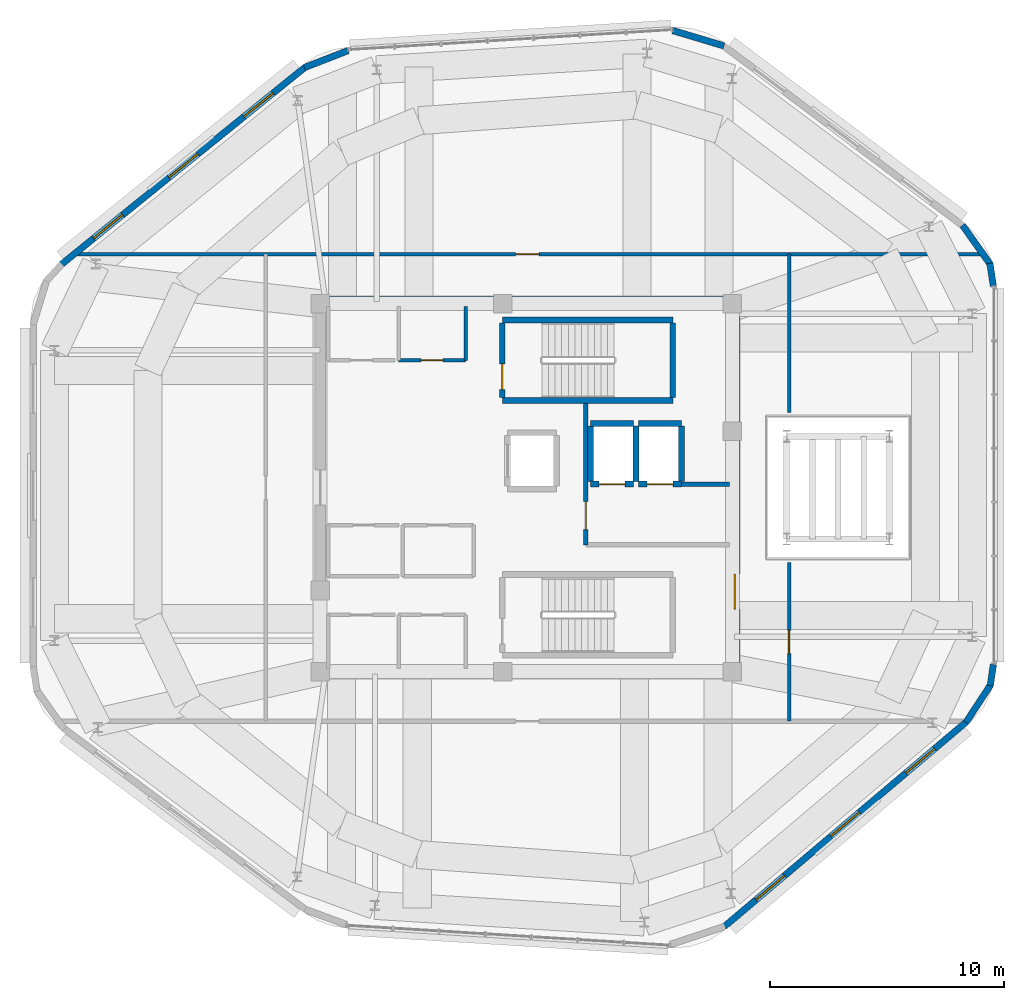
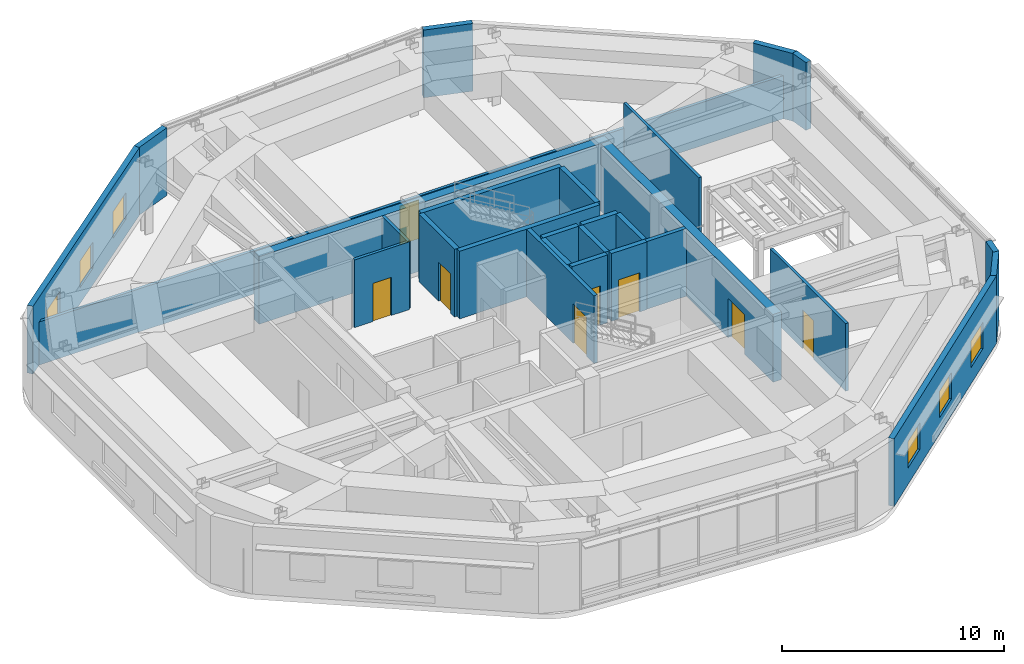
# One storey, part 15 of 17: 28 walls, 8 doors, 6 windows, 14 openings.
"""IFC4 building model written with IfcOpenShell, lengths in metres."""

from ifc_helpers import new_model, si_unit, direction, frame, frame_2d, origin, place, context, subcontext, project, spatial, rectangle, extrude, material, layer, layer_set, type_object, element, fill, save


model = new_model("IFC4")

# Units and contexts
model_context = context("Model", 3, precision=1e-05, world=origin(), true_north=direction((0.0, 1.0)))
body_context = subcontext(model_context, "Body", "Model", "MODEL_VIEW")
ifc_project = project(units=[si_unit("LENGTHUNIT", "METRE"), si_unit("AREAUNIT", "SQUARE_METRE"), si_unit("VOLUMEUNIT", "CUBIC_METRE"), si_unit("PLANEANGLEUNIT", "RADIAN"), si_unit("MASSUNIT", "GRAM", prefix="KILO")], contexts=[model_context])

# Site, building, storey
site_placement = place(None, origin())
site = spatial("IfcSite", under=ifc_project, at=site_placement, CompositionType="ELEMENT")
building_placement = place(site_placement, origin())
building = spatial("IfcBuilding", under=site, at=building_placement, Name="Zulverin Broadcast Headquarters", CompositionType="ELEMENT")
storey_placement = place(building_placement, frame((0.0, 0.0, 317.39990234375)))
storey = spatial("IfcBuildingStorey", under=building, at=storey_placement, Name="C2", CompositionType="ELEMENT", Elevation=317.39990234375)

# Wall
ifc_material_1 = material(Name="Concrete C50/60", Category="concrete")
ifc_layer_1 = layer(ifc_material_1, 0.449951171875, Name="Concrete C50/60", Category="concrete")
ifc_layer_set_1 = layer_set([ifc_layer_1], Name="Concrete C50/60")
wall_type_1 = type_object("IfcWallType", Name="WL-CORE-450", PredefinedType="SHEAR", material=ifc_layer_set_1)
wall_1_placement = place(storey_placement, frame((30.39990234375, 33.175048828125, 0.0), z_axis=(0.0, 0.0, 1.0), x_axis=(1.0, 0.0, 0.0)))
element("IfcWall", 1, at=wall_1_placement, inside=storey, type_object=wall_type_1, Name="C2 Core North Shear Wall", PredefinedType="SHEAR", context=body_context, shape_type="SweptSolid", body=[
    extrude(rectangle(XDim=18.2001953125, YDim=0.449951171875, at=frame_2d((9.10009765625, 0.0))), origin(), (0.0, 0.0, 1.0), 3.72021484375),
])

# Wall, opening, door
wall_2_placement = place(storey_placement, frame((48.375, 17.449951171875, 0.0), z_axis=(0.0, 0.0, 1.0), x_axis=(0.0, 1.0, 0.0)))
wall_2 = element("IfcWall", 2, at=wall_2_placement, inside=storey, type_object=wall_type_1, Name="C2 Core East Shear Wall", PredefinedType="SHEAR", context=body_context, shape_type="SweptSolid", body=[
    extrude(rectangle(XDim=15.5, YDim=0.449951171875, at=frame_2d((7.75, 0.0))), origin(), (0.0, 0.0, 1.0), 3.72021484375),
])
opening_1_placement = place(wall_2_placement, frame((2.550048828125, 0.0, 0.0)))
opening_1 = element("IfcOpeningElement", 3, at=opening_1_placement, cuts=wall_2, Name="Opening D-C2-CE1", PredefinedType="OPENING", context=body_context, shape_type="SweptSolid", body=[
    extrude(rectangle(XDim=1.5, YDim=2.14990234375, at=frame_2d((0.75, 1.074951171875))), frame((0.0, 0.23486328125, 0.0), z_axis=(0.0, -1.0, 0.0), x_axis=(1.0, 0.0, 0.0)), (0.0, 0.0, 1.0), 0.469970703125),
])
ifc_material_2 = material(Name="Fire-rated glazed steel frame", Category="steel")
door_type_1 = type_object("IfcDoorType", Name="DR-COR-1500", OperationType="DOUBLE_DOOR_SINGLE_SWING", PredefinedType="DOOR", material=ifc_material_2)
door_1_placement = place(opening_1_placement, origin())
door_1 = element("IfcDoor", 4, at=door_1_placement, inside=storey, type_object=door_type_1, Name="C2 Firefighting Lobby East Corridor Door", OperationType="DOUBLE_DOOR_SINGLE_SWING", OverallHeight=2.14990234375, OverallWidth=1.5, PredefinedType="DOOR", context=body_context, shape_type="SweptSolid", body=[
    extrude(rectangle(XDim=1.5, YDim=2.14990234375, at=frame_2d((0.75, 1.074951171875))), frame((0.0, 0.02490234375, 0.0), z_axis=(0.0, -1.0, 0.0), x_axis=(1.0, 0.0, 0.0)), (0.0, 0.0, 1.0), 0.050048828125),
])
fill(opening_1, door_1)

# Wall, openings, windows
ifc_material_3 = material(Name="Insulated pale-metal clad concrete spandrel C40/50", Category="concrete")
ifc_layer_2 = layer(ifc_material_3, 0.280029296875, Name="Insulated pale-metal clad concrete spandrel C40/50", Category="concrete")
ifc_layer_set_2 = layer_set([ifc_layer_2], Name="Insulated pale-metal clad concrete spandrel C40/50")
wall_type_2 = type_object("IfcWallType", Name="WL-EXT-280", PredefinedType="STANDARD", material=ifc_layer_set_2)
wall_3_placement = place(storey_placement, frame((47.907958984375, 6.38818359375, 0.0), z_axis=(0.0, 0.0, 1.0), x_axis=(0.763574643448, 0.645719570621, 0.0)))
wall_3 = element("IfcWall", 5, at=wall_3_placement, inside=storey, type_object=wall_type_2, Name="C2 Pale-Metal Clad Spandrel Wall 2", PredefinedType="STANDARD", context=body_context, shape_type="SweptSolid", body=[
    extrude(rectangle(XDim=13.6162109375, YDim=0.280029296875, at=frame_2d((6.80810546875, 0.0))), origin(), (0.0, 0.0, 1.0), 3.72021484375),
])
opening_2_placement = place(wall_3_placement, frame((1.802734375, 0.0, 0.89990234375)))
opening_2 = element("IfcOpeningElement", 6, at=opening_2_placement, cuts=wall_3, Name="Opening W-C2-E21", PredefinedType="OPENING", context=body_context, shape_type="SweptSolid", body=[
    extrude(rectangle(XDim=1.60009765625, YDim=1.449951171875, at=frame_2d((0.800048828125, 0.72509765625))), frame((0.0, 0.14990234375, 0.0), z_axis=(0.0, -1.0, 0.0), x_axis=(1.0, 0.0, 0.0)), (0.0, 0.0, 1.0), 0.300048828125),
])
opening_3_placement = place(wall_3_placement, frame((6.008056640625, 0.0, 0.89990234375)))
opening_3 = element("IfcOpeningElement", 7, at=opening_3_placement, cuts=wall_3, Name="Opening W-C2-E22", PredefinedType="OPENING", context=body_context, shape_type="SweptSolid", body=[
    extrude(rectangle(XDim=1.60009765625, YDim=1.449951171875, at=frame_2d((0.800048828125, 0.72509765625))), frame((0.0, 0.14990234375, 0.0), z_axis=(0.0, -1.0, 0.0), x_axis=(1.0, 0.0, 0.0)), (0.0, 0.0, 1.0), 0.300048828125),
])
opening_4_placement = place(wall_3_placement, frame((10.21337890625, 0.0, 0.89990234375)))
opening_4 = element("IfcOpeningElement", 8, at=opening_4_placement, cuts=wall_3, Name="Opening W-C2-E23", PredefinedType="OPENING", context=body_context, shape_type="SweptSolid", body=[
    extrude(rectangle(XDim=1.60009765625, YDim=1.449951171875, at=frame_2d((0.800048828125, 0.72509765625))), frame((0.0, 0.14990234375, 0.0), z_axis=(0.0, -1.0, 0.0), x_axis=(1.0, 0.0, 0.0)), (0.0, 0.0, 1.0), 0.300048828125),
])
ifc_material_4 = material(Name="Pale anodized aluminium frame with solar-control low-E double glazing", Category="aluminium")
window_type = type_object("IfcWindowType", Name="WIN-CRN-1600", PartitioningType="SINGLE_PANEL", PredefinedType="WINDOW", material=ifc_material_4)
window_1_placement = place(opening_2_placement, origin())
window_1 = element("IfcWindow", 9, at=window_1_placement, inside=storey, type_object=window_type, Name="C2 Ribbon Glazing Window 2 1", OverallHeight=1.449951171875, OverallWidth=1.60009765625, PartitioningType="SINGLE_PANEL", PredefinedType="WINDOW", context=body_context, shape_type="SweptSolid", body=[
    extrude(rectangle(XDim=1.60009765625, YDim=1.449951171875, at=frame_2d((0.800048828125, 0.72509765625))), frame((0.0, 0.030029296875, 0.0), z_axis=(0.0, -1.0, 0.0), x_axis=(1.0, 0.0, 0.0)), (0.0, 0.0, 1.0), 0.06005859375),
])
fill(opening_2, window_1)
window_2_placement = place(opening_3_placement, origin())
window_2 = element("IfcWindow", 10, at=window_2_placement, inside=storey, type_object=window_type, Name="C2 Ribbon Glazing Window 2 2", OverallHeight=1.449951171875, OverallWidth=1.60009765625, PartitioningType="SINGLE_PANEL", PredefinedType="WINDOW", context=body_context, shape_type="SweptSolid", body=[
    extrude(rectangle(XDim=1.60009765625, YDim=1.449951171875, at=frame_2d((0.800048828125, 0.72509765625))), frame((0.0, 0.030029296875, 0.0), z_axis=(0.0, -1.0, 0.0), x_axis=(1.0, 0.0, 0.0)), (0.0, 0.0, 1.0), 0.06005859375),
])
fill(opening_3, window_2)
window_3_placement = place(opening_4_placement, origin())
window_3 = element("IfcWindow", 11, at=window_3_placement, inside=storey, type_object=window_type, Name="C2 Ribbon Glazing Window 2 3", OverallHeight=1.449951171875, OverallWidth=1.60009765625, PartitioningType="SINGLE_PANEL", PredefinedType="WINDOW", context=body_context, shape_type="SweptSolid", body=[
    extrude(rectangle(XDim=1.60009765625, YDim=1.449951171875, at=frame_2d((0.800048828125, 0.72509765625))), frame((0.0, 0.030029296875, 0.0), z_axis=(0.0, -1.0, 0.0), x_axis=(1.0, 0.0, 0.0)), (0.0, 0.0, 1.0), 0.06005859375),
])
fill(opening_4, window_3)

wall_4_placement = place(storey_placement, frame((29.9873046875, 43.20751953125, 0.0), z_axis=(0.0, 0.0, 1.0), x_axis=(-0.777319383305, -0.629106172548, 0.0)))
wall_4 = element("IfcWall", 12, at=wall_4_placement, inside=storey, type_object=wall_type_2, Name="C2 Pale-Metal Clad Spandrel Wall 6", PredefinedType="STANDARD", context=body_context, shape_type="SweptSolid", body=[
    extrude(rectangle(XDim=13.42822265625, YDim=0.280029296875, at=frame_2d((6.714111328125, 0.0))), origin(), (0.0, 0.0, 1.0), 3.72021484375),
])
opening_5_placement = place(wall_4_placement, frame((1.771484375, 0.0, 0.89990234375)))
opening_5 = element("IfcOpeningElement", 13, at=opening_5_placement, cuts=wall_4, Name="Opening W-C2-E61", PredefinedType="OPENING", context=body_context, shape_type="SweptSolid", body=[
    extrude(rectangle(XDim=1.60009765625, YDim=1.449951171875, at=frame_2d((0.800048828125, 0.72509765625))), frame((0.0, 0.14990234375, 0.0), z_axis=(0.0, -1.0, 0.0), x_axis=(1.0, 0.0, 0.0)), (0.0, 0.0, 1.0), 0.300048828125),
])
opening_6_placement = place(wall_4_placement, frame((5.9140625, 0.0, 0.89990234375)))
opening_6 = element("IfcOpeningElement", 14, at=opening_6_placement, cuts=wall_4, Name="Opening W-C2-E62", PredefinedType="OPENING", context=body_context, shape_type="SweptSolid", body=[
    extrude(rectangle(XDim=1.60009765625, YDim=1.449951171875, at=frame_2d((0.800048828125, 0.72509765625))), frame((0.0, 0.14990234375, 0.0), z_axis=(0.0, -1.0, 0.0), x_axis=(1.0, 0.0, 0.0)), (0.0, 0.0, 1.0), 0.300048828125),
])
opening_7_placement = place(wall_4_placement, frame((10.056884765625, 0.0, 0.89990234375)))
opening_7 = element("IfcOpeningElement", 15, at=opening_7_placement, cuts=wall_4, Name="Opening W-C2-E63", PredefinedType="OPENING", context=body_context, shape_type="SweptSolid", body=[
    extrude(rectangle(XDim=1.60009765625, YDim=1.449951171875, at=frame_2d((0.800048828125, 0.72509765625))), frame((0.0, 0.14990234375, 0.0), z_axis=(0.0, -1.0, 0.0), x_axis=(1.0, 0.0, 0.0)), (0.0, 0.0, 1.0), 0.300048828125),
])
window_4_placement = place(opening_5_placement, origin())
window_4 = element("IfcWindow", 16, at=window_4_placement, inside=storey, type_object=window_type, Name="C2 Ribbon Glazing Window 6 1", OverallHeight=1.449951171875, OverallWidth=1.60009765625, PartitioningType="SINGLE_PANEL", PredefinedType="WINDOW", context=body_context, shape_type="SweptSolid", body=[
    extrude(rectangle(XDim=1.60009765625, YDim=1.449951171875, at=frame_2d((0.800048828125, 0.72509765625))), frame((0.0, 0.030029296875, 0.0), z_axis=(0.0, -1.0, 0.0), x_axis=(1.0, 0.0, 0.0)), (0.0, 0.0, 1.0), 0.06005859375),
])
fill(opening_5, window_4)
window_5_placement = place(opening_6_placement, origin())
window_5 = element("IfcWindow", 17, at=window_5_placement, inside=storey, type_object=window_type, Name="C2 Ribbon Glazing Window 6 2", OverallHeight=1.449951171875, OverallWidth=1.60009765625, PartitioningType="SINGLE_PANEL", PredefinedType="WINDOW", context=body_context, shape_type="SweptSolid", body=[
    extrude(rectangle(XDim=1.60009765625, YDim=1.449951171875, at=frame_2d((0.800048828125, 0.72509765625))), frame((0.0, 0.030029296875, 0.0), z_axis=(0.0, -1.0, 0.0), x_axis=(1.0, 0.0, 0.0)), (0.0, 0.0, 1.0), 0.06005859375),
])
fill(opening_6, window_5)
window_6_placement = place(opening_7_placement, origin())
window_6 = element("IfcWindow", 18, at=window_6_placement, inside=storey, type_object=window_type, Name="C2 Ribbon Glazing Window 6 3", OverallHeight=1.449951171875, OverallWidth=1.60009765625, PartitioningType="SINGLE_PANEL", PredefinedType="WINDOW", context=body_context, shape_type="SweptSolid", body=[
    extrude(rectangle(XDim=1.60009765625, YDim=1.449951171875, at=frame_2d((0.800048828125, 0.72509765625))), frame((0.0, 0.030029296875, 0.0), z_axis=(0.0, -1.0, 0.0), x_axis=(1.0, 0.0, 0.0)), (0.0, 0.0, 1.0), 0.06005859375),
])
fill(opening_7, window_6)

# Walls
wall_5_placement = place(storey_placement, frame((58.2783203125, 15.14990234375, 0.0), z_axis=(0.0, 0.0, 1.0), x_axis=(0.547367908429, 0.836892091504, 0.0)))
element("IfcWall", 19, at=wall_5_placement, inside=storey, type_object=wall_type_2, Name="C2 Wind-Shaped Corner Spandrel Wall 2-1", PredefinedType="STANDARD", context=body_context, shape_type="SweptSolid", body=[
    extrude(rectangle(XDim=1.94189453125, YDim=0.280029296875, at=frame_2d((0.970947265625, 0.0))), origin(), (0.0, 0.0, 1.0), 3.72021484375),
])
wall_6_placement = place(storey_placement, frame((59.31982421875, 16.71875, 0.0), z_axis=(0.0, 0.0, 1.0), x_axis=(0.144404722788, 0.989518709291, 0.0)))
element("IfcWall", 20, at=wall_6_placement, inside=storey, type_object=wall_type_2, Name="C2 Wind-Shaped Corner Spandrel Wall 2-2", PredefinedType="STANDARD", context=body_context, shape_type="SweptSolid", body=[
    extrude(rectangle(XDim=0.916259765625, YDim=0.280029296875, at=frame_2d((0.4580078125, 0.0))), origin(), (0.0, 0.0, 1.0), 3.72021484375),
])
wall_7_placement = place(storey_placement, frame((59.45166015625, 33.841064453125, 0.0), z_axis=(0.0, 0.0, 1.0), x_axis=(-0.153890702538, 0.988087876493, 0.0)))
element("IfcWall", 21, at=wall_7_placement, inside=storey, type_object=wall_type_2, Name="C2 Wind-Shaped Corner Spandrel Wall 3-1", PredefinedType="STANDARD", context=body_context, shape_type="SweptSolid", body=[
    extrude(rectangle(XDim=0.98046875, YDim=0.280029296875, at=frame_2d((0.490234375, 0.0))), origin(), (0.0, 0.0, 1.0), 3.72021484375),
])
wall_8_placement = place(storey_placement, frame((59.3251953125, 34.750244140625, 0.0), z_axis=(0.0, 0.0, 1.0), x_axis=(-0.578944699304, 0.815366810183, 0.0)))
element("IfcWall", 22, at=wall_8_placement, inside=storey, type_object=wall_type_2, Name="C2 Wind-Shaped Corner Spandrel Wall 3-2", PredefinedType="STANDARD", context=body_context, shape_type="SweptSolid", body=[
    extrude(rectangle(XDim=2.06640625, YDim=0.280029296875, at=frame_2d((1.033203125, 0.0))), origin(), (0.0, 0.0, 1.0), 3.72021484375),
])
wall_9_placement = place(storey_placement, frame((47.91748046875, 44.113037109375, 0.0), z_axis=(0.0, 0.0, 1.0), x_axis=(-0.957835100655, 0.287318499149, 0.0)))
element("IfcWall", 23, at=wall_9_placement, inside=storey, type_object=wall_type_2, Name="C2 Wind-Shaped Corner Spandrel Wall 4-1", PredefinedType="STANDARD", context=body_context, shape_type="SweptSolid", body=[
    extrude(rectangle(XDim=2.28662109375, YDim=0.280029296875, at=frame_2d((1.143310546875, 0.0))), origin(), (0.0, 0.0, 1.0), 3.72021484375),
])
wall_10_placement = place(storey_placement, frame((31.819091796875, 43.912841796875, 0.0), z_axis=(0.0, 0.0, 1.0), x_axis=(-0.931977254785, -0.362516753494, 0.0)))
element("IfcWall", 24, at=wall_10_placement, inside=storey, type_object=wall_type_2, Name="C2 Wind-Shaped Corner Spandrel Wall 5-1", PredefinedType="STANDARD", context=body_context, shape_type="SweptSolid", body=[
    extrude(rectangle(XDim=2.005615234375, YDim=0.280029296875, at=frame_2d((1.0029296875, 0.0))), origin(), (0.0, 0.0, 1.0), 3.72021484375),
])

# Wall, opening, door
ifc_material_5 = material(Name="Concrete C40/50", Category="concrete")
ifc_layer_3 = layer(ifc_material_5, 0.199951171875, Name="Concrete C40/50", Category="concrete")
ifc_layer_set_3 = layer_set([ifc_layer_3], Name="Concrete C40/50")
wall_type_3 = type_object("IfcWallType", Name="WL-FFL-200", PredefinedType="SOLIDWALL", material=ifc_layer_set_3)
wall_11_placement = place(storey_placement, frame((42.0, 22.75, 0.0), z_axis=(0.0, 0.0, 1.0), x_axis=(0.0, 1.0, 0.0)))
wall_11 = element("IfcWall", 25, at=wall_11_placement, inside=storey, type_object=wall_type_3, Name="C2 Firefighting Lift Lobby West Wall", PredefinedType="SOLIDWALL", context=body_context, shape_type="SweptSolid", body=[
    extrude(rectangle(XDim=6.050048828125, YDim=0.199951171875, at=frame_2d((3.02490234375, 0.0))), origin(), (0.0, 0.0, 1.0), 3.72021484375),
])
opening_8_placement = place(wall_11_placement, frame((0.64990234375, 0.0, 0.0)))
opening_8 = element("IfcOpeningElement", 26, at=opening_8_placement, cuts=wall_11, Name="Opening D-C2-FFLW", PredefinedType="OPENING", context=body_context, shape_type="SweptSolid", body=[
    extrude(rectangle(XDim=1.199951171875, YDim=2.14990234375, at=frame_2d((0.60009765625, 1.074951171875))), frame((0.0, 0.10986328125, 0.0), z_axis=(0.0, -1.0, 0.0), x_axis=(1.0, 0.0, 0.0)), (0.0, 0.0, 1.0), 0.219970703125),
])
ifc_material_6 = material(Name="Fire-rated steel leaf and frame", Category="steel")
door_type_2 = type_object("IfcDoorType", Name="DR-FFL-1200", OperationType="SINGLE_SWING_RIGHT", PredefinedType="DOOR", material=ifc_material_6)
door_2_placement = place(opening_8_placement, origin())
door_2 = element("IfcDoor", 27, at=door_2_placement, inside=storey, type_object=door_type_2, Name="C2 Firefighting Lift Lobby Door", OperationType="SINGLE_SWING_RIGHT", OverallHeight=2.14990234375, OverallWidth=1.199951171875, PredefinedType="DOOR", context=body_context, shape_type="SweptSolid", body=[
    extrude(rectangle(XDim=1.199951171875, YDim=2.14990234375, at=frame_2d((0.60009765625, 1.074951171875))), frame((0.0, 0.02490234375, 0.0), z_axis=(0.0, -1.0, 0.0), x_axis=(1.0, 0.0, 0.0)), (0.0, 0.0, 1.0), 0.050048828125),
])
fill(opening_8, door_2)

# Wall
wall_12_placement = place(storey_placement, frame((46.10009765625, 25.35009765625, 0.0), z_axis=(0.0, 0.0, 1.0), x_axis=(1.0, 0.0, 0.0)))
element("IfcWall", 28, at=wall_12_placement, inside=storey, type_object=wall_type_3, Name="C2 Firefighting Lift Lobby North Wall", PredefinedType="SOLIDWALL", context=body_context, shape_type="SweptSolid", body=[
    extrude(rectangle(XDim=2.0498046875, YDim=0.199951171875, at=frame_2d((1.02490234375, 0.0))), origin(), (0.0, 0.0, 1.0), 3.72021484375),
])

# Wall, opening, door
ifc_material_7 = material(Name="Fire-rated gypsum stud partition", Category="gypsum")
ifc_layer_4 = layer(ifc_material_7, 0.14990234375, Name="Fire-rated gypsum stud partition", Category="gypsum")
ifc_layer_set_4 = layer_set([ifc_layer_4], Name="Fire-rated gypsum stud partition")
wall_type_4 = type_object("IfcWallType", Name="WL-PART-150", PredefinedType="PARTITIONING", material=ifc_layer_set_4)
wall_13_placement = place(storey_placement, frame((33.989990234375, 30.64990234375, 0.0), z_axis=(0.0, 0.0, 1.0), x_axis=(1.0, 0.0, 0.0)))
wall_13 = element("IfcWall", 29, at=wall_13_placement, inside=storey, type_object=wall_type_4, Name="C2 Core Accessible WC Front Wall", PredefinedType="PARTITIONING", context=body_context, shape_type="SweptSolid", body=[
    extrude(rectangle(XDim=2.860107421875, YDim=0.14990234375, at=frame_2d((1.43017578125, 0.0))), origin(), (0.0, 0.0, 1.0), 3.72021484375),
])
opening_9_placement = place(wall_13_placement, frame((0.955078125, 0.0, 0.0)))
opening_9 = element("IfcOpeningElement", 30, at=opening_9_placement, cuts=wall_13, Name="Opening D-C2-NC2", PredefinedType="OPENING", context=body_context, shape_type="SweptSolid", body=[
    extrude(rectangle(XDim=0.949951171875, YDim=2.10009765625, at=frame_2d((0.47509765625, 1.050048828125))), frame((0.0, 0.0849609375, 0.0), z_axis=(0.0, -1.0, 0.0), x_axis=(1.0, 0.0, 0.0)), (0.0, 0.0, 1.0), 0.169921875),
])
ifc_material_8 = material(Name="Fire-rated moisture-resistant laminate leaf", Category="wood")
door_type_3 = type_object("IfcDoorType", Name="DR-WC-950", OperationType="SINGLE_SWING_LEFT", PredefinedType="DOOR", material=ifc_material_8)
door_3_placement = place(opening_9_placement, origin())
door_3 = element("IfcDoor", 31, at=door_3_placement, inside=storey, type_object=door_type_3, Name="C2 Accessible WC Door", OperationType="SINGLE_SWING_RIGHT", OverallHeight=2.10009765625, OverallWidth=0.949951171875, PredefinedType="DOOR", context=body_context, shape_type="SweptSolid", body=[
    extrude(rectangle(XDim=0.949951171875, YDim=2.10009765625, at=frame_2d((0.47509765625, 1.050048828125))), frame((0.0, 0.02490234375, 0.0), z_axis=(0.0, -1.0, 0.0), x_axis=(1.0, 0.0, 0.0)), (0.0, 0.0, 1.0), 0.050048828125),
])
fill(opening_9, door_3)

# Wall
wall_14_placement = place(storey_placement, frame((36.85009765625, 30.64990234375, 0.0), z_axis=(0.0, 0.0, 1.0), x_axis=(0.0, 1.0, 0.0)))
element("IfcWall", 32, at=wall_14_placement, inside=storey, type_object=wall_type_4, Name="C2 Core Accessible WC East Wall", PredefinedType="PARTITIONING", context=body_context, shape_type="SweptSolid", body=[
    extrude(rectangle(XDim=2.300048828125, YDim=0.14990234375, at=frame_2d((1.14990234375, 0.0))), origin(), (0.0, 0.0, 1.0), 3.72021484375),
])

# Wall, opening, door
wall_15_placement = place(storey_placement, frame((50.699951171875, 15.199951171875, 0.0), z_axis=(0.0, 0.0, 1.0), x_axis=(0.0, 1.0, 0.0)))
wall_15 = element("IfcWall", 33, at=wall_15_placement, inside=storey, type_object=wall_type_4, Name="C2 Gallery Partition Wall CG-01", PredefinedType="PARTITIONING", context=body_context, shape_type="SweptSolid", body=[
    extrude(rectangle(XDim=6.7900390625, YDim=0.14990234375, at=frame_2d((3.39501953125, 0.0))), origin(), (0.0, 0.0, 1.0), 3.72021484375),
])
opening_10_placement = place(wall_15_placement, frame((2.89501953125, 0.0, 0.0)))
opening_10 = element("IfcOpeningElement", 34, at=opening_10_placement, cuts=wall_15, Name="Opening D-C2-CR2", PredefinedType="OPENING", context=body_context, shape_type="SweptSolid", body=[
    extrude(rectangle(XDim=1.0, YDim=2.1201171875, at=frame_2d((0.5, 1.06005859375))), frame((0.0, 0.0849609375, 0.0), z_axis=(0.0, -1.0, 0.0), x_axis=(1.0, 0.0, 0.0)), (0.0, 0.0, 1.0), 0.169921875),
])
ifc_material_9 = material(Name="Hardwood veneer acoustic leaf", Category="wood")
door_type_4 = type_object("IfcDoorType", Name="DR-OFF-1000", OperationType="SINGLE_SWING_LEFT", PredefinedType="DOOR", material=ifc_material_9)
door_4_placement = place(opening_10_placement, origin())
door_4 = element("IfcDoor", 35, at=door_4_placement, inside=storey, type_object=door_type_4, Name="Tuned Mass Damper Mechanical Plant Hall Door", OperationType="SINGLE_SWING_RIGHT", OverallHeight=2.1201171875, OverallWidth=1.0, PredefinedType="DOOR", context=body_context, shape_type="SweptSolid", body=[
    extrude(rectangle(XDim=1.0, YDim=2.1201171875, at=frame_2d((0.5, 1.06005859375))), frame((0.0, 0.02490234375, 0.0), z_axis=(0.0, -1.0, 0.0), x_axis=(1.0, 0.0, 0.0)), (0.0, 0.0, 1.0), 0.050048828125),
])
fill(opening_10, door_4)

# Wall
wall_16_placement = place(storey_placement, frame((50.699951171875, 28.409912109375, 0.0), z_axis=(0.0, 0.0, 1.0), x_axis=(0.0, 1.0, 0.0)))
element("IfcWall", 36, at=wall_16_placement, inside=storey, type_object=wall_type_4, Name="C2 Gallery Partition Wall CG-02", PredefinedType="PARTITIONING", context=body_context, shape_type="SweptSolid", body=[
    extrude(rectangle(XDim=6.7900390625, YDim=0.14990234375, at=frame_2d((3.39501953125, 0.0))), origin(), (0.0, 0.0, 1.0), 3.72021484375),
])

# Wall, opening, door
wall_17_placement = place(storey_placement, frame((20.010498046875, 35.199951171875, 0.0), z_axis=(0.0, 0.0, 1.0), x_axis=(1.0, 0.0, 0.0)))
wall_17 = element("IfcWall", 37, at=wall_17_placement, inside=storey, type_object=wall_type_4, Name="C2 Gallery Partition Wall CG-05", PredefinedType="PARTITIONING", context=body_context, shape_type="SweptSolid", body=[
    extrude(rectangle(XDim=39.03955078125, YDim=0.14990234375, at=frame_2d((19.519775390625, 0.0))), origin(), (0.0, 0.0, 1.0), 2.3701171875),
])
opening_11_placement = place(wall_17_placement, frame((18.989501953125, 0.0, 0.0)))
opening_11 = element("IfcOpeningElement", 38, at=opening_11_placement, cuts=wall_17, Name="Opening D-C2-CR3", PredefinedType="OPENING", context=body_context, shape_type="SweptSolid", body=[
    extrude(rectangle(XDim=1.0, YDim=2.1201171875, at=frame_2d((0.5, 1.06005859375))), frame((0.0, 0.0849609375, 0.0), z_axis=(0.0, -1.0, 0.0), x_axis=(1.0, 0.0, 0.0)), (0.0, 0.0, 1.0), 0.169921875),
])
door_5_placement = place(opening_11_placement, origin())
door_5 = element("IfcDoor", 39, at=door_5_placement, inside=storey, type_object=door_type_4, Name="C2 Crown Cooling & Chiller Plant Room Door", OperationType="SINGLE_SWING_LEFT", OverallHeight=2.1201171875, OverallWidth=1.0, PredefinedType="DOOR", context=body_context, shape_type="SweptSolid", body=[
    extrude(rectangle(XDim=1.0, YDim=2.1201171875, at=frame_2d((0.5, 1.06005859375))), frame((0.0, 0.02490234375, 0.0), z_axis=(0.0, -1.0, 0.0), x_axis=(1.0, 0.0, 0.0)), (0.0, 0.0, 1.0), 0.050048828125),
])
fill(opening_11, door_5)

# Walls
ifc_layer_5 = layer(ifc_material_1, 0.25, Name="Concrete C50/60", Category="concrete")
ifc_layer_set_5 = layer_set([ifc_layer_5], Name="Concrete C50/60")
wall_type_5 = type_object("IfcWallType", Name="WL-SHAFT-250", PredefinedType="SHEAR", material=ifc_layer_set_5)
for number, where, z_axis, x_axis, name in (
    (40, (38.425048828125, 28.925048828125, 0.0), (0.0, 0.0, 1.0), (1.0, 0.0, 0.0), "C2 ST-1 Enclosure Wall S"),
    (41, (38.425048828125, 32.375, 0.0), (0.0, 0.0, 1.0), (1.0, 0.0, 0.0), "C2 ST-1 Enclosure Wall N"),
):
    element("IfcWall", number, at=place(storey_placement, frame(where, z_axis=z_axis, x_axis=x_axis)), inside=storey, type_object=wall_type_5, Name=name, PredefinedType="SHEAR", context=body_context, shape_type="SweptSolid", body=[
        extrude(rectangle(XDim=7.300048828125, YDim=0.25, at=frame_2d((3.64990234375, 0.0))), origin(), (0.0, 0.0, 1.0), 3.72021484375),
    ])

# Wall, opening, door
wall_18_placement = place(storey_placement, frame((38.425048828125, 29.050048828125, 0.0), z_axis=(0.0, 0.0, 1.0), x_axis=(0.0, 1.0, 0.0)))
wall_18 = element("IfcWall", 42, at=wall_18_placement, inside=storey, type_object=wall_type_5, Name="C2 ST-1 Enclosure Wall W", PredefinedType="SHEAR", context=body_context, shape_type="SweptSolid", body=[
    extrude(rectangle(XDim=3.199951171875, YDim=0.25, at=frame_2d((1.60009765625, 0.0))), origin(), (0.0, 0.0, 1.0), 3.72021484375),
])
opening_12_placement = place(wall_18_placement, frame((0.35009765625, 0.0, 0.0)))
opening_12 = element("IfcOpeningElement", 43, at=opening_12_placement, cuts=wall_18, Name="Opening D-C2-ST-1", PredefinedType="OPENING", context=body_context, shape_type="SweptSolid", body=[
    extrude(rectangle(XDim=1.10009765625, YDim=2.14990234375, at=frame_2d((0.550048828125, 1.074951171875))), frame((0.0, 0.135009765625, 0.0), z_axis=(0.0, -1.0, 0.0), x_axis=(1.0, 0.0, 0.0)), (0.0, 0.0, 1.0), 0.27001953125),
])
door_type_5 = type_object("IfcDoorType", Name="DR-STAIR-1100", OperationType="SINGLE_SWING_LEFT", PredefinedType="DOOR", material=ifc_material_6)
door_6_placement = place(opening_12_placement, origin())
door_6 = element("IfcDoor", 44, at=door_6_placement, inside=storey, type_object=door_type_5, Name="C2 Exit Stair ST-1 Fire Door", OperationType="SINGLE_SWING_LEFT", OverallHeight=2.14990234375, OverallWidth=1.10009765625, PredefinedType="DOOR", context=body_context, shape_type="SweptSolid", body=[
    extrude(rectangle(XDim=1.10009765625, YDim=2.14990234375, at=frame_2d((0.550048828125, 1.074951171875))), frame((0.0, 0.02490234375, 0.0), z_axis=(0.0, -1.0, 0.0), x_axis=(1.0, 0.0, 0.0)), (0.0, 0.0, 1.0), 0.050048828125),
])
fill(opening_12, door_6)

# Wall
wall_19_placement = place(storey_placement, frame((45.72509765625, 29.050048828125, 0.0), z_axis=(0.0, 0.0, 1.0), x_axis=(0.0, 1.0, 0.0)))
element("IfcWall", 45, at=wall_19_placement, inside=storey, type_object=wall_type_5, Name="C2 ST-1 Enclosure Wall E", PredefinedType="SHEAR", context=body_context, shape_type="SweptSolid", body=[
    extrude(rectangle(XDim=3.199951171875, YDim=0.25, at=frame_2d((1.60009765625, 0.0))), origin(), (0.0, 0.0, 1.0), 3.72021484375),
])

# Wall, opening, door
wall_20_placement = place(storey_placement, frame((42.199951171875, 25.35009765625, 0.0), z_axis=(0.0, 0.0, 1.0), x_axis=(1.0, 0.0, 0.0)))
wall_20 = element("IfcWall", 46, at=wall_20_placement, inside=storey, type_object=wall_type_5, Name="C2 Lift FFL-1 Shaft Wall S", PredefinedType="SHEAR", context=body_context, shape_type="SweptSolid", body=[
    extrude(rectangle(XDim=1.85009765625, YDim=0.25, at=frame_2d((0.925048828125, 0.0))), origin(), (0.0, 0.0, 1.0), 3.72021484375),
])
opening_13_placement = place(wall_20_placement, frame((0.375, 0.0, 0.0)))
opening_13 = element("IfcOpeningElement", 47, at=opening_13_placement, cuts=wall_20, Name="Opening LD-FFL-1-C2", PredefinedType="OPENING", context=body_context, shape_type="SweptSolid", body=[
    extrude(rectangle(XDim=1.10009765625, YDim=2.14990234375, at=frame_2d((0.550048828125, 1.074951171875))), frame((0.0, 0.135009765625, 0.0), z_axis=(0.0, -1.0, 0.0), x_axis=(1.0, 0.0, 0.0)), (0.0, 0.0, 1.0), 0.27001953125),
])
ifc_material_10 = material(Name="Fire-rated stainless landing door", Category="steel")
door_type_6 = type_object("IfcDoorType", Name="LD-FFL-1100", OperationType="DOUBLE_DOOR_SLIDING", PredefinedType="DOOR", material=ifc_material_10)
door_7_placement = place(opening_13_placement, origin())
door_7 = element("IfcDoor", 48, at=door_7_placement, inside=storey, type_object=door_type_6, Name="C2 Lift FFL-1 Sliding Landing Door", OperationType="DOUBLE_DOOR_SLIDING", OverallHeight=2.14990234375, OverallWidth=1.10009765625, PredefinedType="DOOR", context=body_context, shape_type="SweptSolid", body=[
    extrude(rectangle(XDim=1.10009765625, YDim=2.14990234375, at=frame_2d((0.550048828125, 1.074951171875))), frame((0.0, 0.02490234375, 0.0), z_axis=(0.0, -1.0, 0.0), x_axis=(1.0, 0.0, 0.0)), (0.0, 0.0, 1.0), 0.050048828125),
])
fill(opening_13, door_7)

# Walls
wall_21_placement = place(storey_placement, frame((42.199951171875, 27.949951171875, 0.0), z_axis=(0.0, 0.0, 1.0), x_axis=(1.0, 0.0, 0.0)))
element("IfcWall", 49, at=wall_21_placement, inside=storey, type_object=wall_type_5, Name="C2 Lift FFL-1 Shaft Wall N", PredefinedType="SHEAR", context=body_context, shape_type="SweptSolid", body=[
    extrude(rectangle(XDim=1.85009765625, YDim=0.25, at=frame_2d((0.925048828125, 0.0))), origin(), (0.0, 0.0, 1.0), 3.72021484375),
])
for number, where, z_axis, x_axis, name in (
    (50, (42.199951171875, 25.469970703125, 0.0), (0.0, 0.0, 1.0), (0.0, 1.0, 0.0), "C2 Lift FFL-1 Shaft Wall W"),
    (51, (44.14990234375, 25.469970703125, 0.0), (0.0, 0.0, 1.0), (0.0, 1.0, 0.0), "C2 Lift FFL-1 Shaft Wall E"),
):
    element("IfcWall", number, at=place(storey_placement, frame(where, z_axis=z_axis, x_axis=x_axis)), inside=storey, type_object=wall_type_5, Name=name, PredefinedType="SHEAR", context=body_context, shape_type="SweptSolid", body=[
        extrude(rectangle(XDim=2.360107421875, YDim=0.25, at=frame_2d((1.18017578125, 0.0))), origin(), (0.0, 0.0, 1.0), 3.72021484375),
    ])

# Wall, opening, door
wall_22_placement = place(storey_placement, frame((44.25, 25.35009765625, 0.0), z_axis=(0.0, 0.0, 1.0), x_axis=(1.0, 0.0, 0.0)))
wall_22 = element("IfcWall", 52, at=wall_22_placement, inside=storey, type_object=wall_type_5, Name="C2 Lift FFL-2 Shaft Wall S", PredefinedType="SHEAR", context=body_context, shape_type="SweptSolid", body=[
    extrude(rectangle(XDim=1.85009765625, YDim=0.25, at=frame_2d((0.925048828125, 0.0))), origin(), (0.0, 0.0, 1.0), 3.72021484375),
])
opening_14_placement = place(wall_22_placement, frame((0.375, 0.0, 0.0)))
opening_14 = element("IfcOpeningElement", 53, at=opening_14_placement, cuts=wall_22, Name="Opening LD-FFL-2-C2", PredefinedType="OPENING", context=body_context, shape_type="SweptSolid", body=[
    extrude(rectangle(XDim=1.10009765625, YDim=2.14990234375, at=frame_2d((0.550048828125, 1.074951171875))), frame((0.0, 0.135009765625, 0.0), z_axis=(0.0, -1.0, 0.0), x_axis=(1.0, 0.0, 0.0)), (0.0, 0.0, 1.0), 0.27001953125),
])
door_8_placement = place(opening_14_placement, origin())
door_8 = element("IfcDoor", 54, at=door_8_placement, inside=storey, type_object=door_type_6, Name="C2 Lift FFL-2 Sliding Landing Door", OperationType="DOUBLE_DOOR_SLIDING", OverallHeight=2.14990234375, OverallWidth=1.10009765625, PredefinedType="DOOR", context=body_context, shape_type="SweptSolid", body=[
    extrude(rectangle(XDim=1.10009765625, YDim=2.14990234375, at=frame_2d((0.550048828125, 1.074951171875))), frame((0.0, 0.02490234375, 0.0), z_axis=(0.0, -1.0, 0.0), x_axis=(1.0, 0.0, 0.0)), (0.0, 0.0, 1.0), 0.050048828125),
])
fill(opening_14, door_8)

# Walls
wall_23_placement = place(storey_placement, frame((44.25, 27.949951171875, 0.0), z_axis=(0.0, 0.0, 1.0), x_axis=(1.0, 0.0, 0.0)))
element("IfcWall", 55, at=wall_23_placement, inside=storey, type_object=wall_type_5, Name="C2 Lift FFL-2 Shaft Wall N", PredefinedType="SHEAR", context=body_context, shape_type="SweptSolid", body=[
    extrude(rectangle(XDim=1.85009765625, YDim=0.25, at=frame_2d((0.925048828125, 0.0))), origin(), (0.0, 0.0, 1.0), 3.72021484375),
])
wall_24_placement = place(storey_placement, frame((46.10009765625, 25.469970703125, 0.0), z_axis=(0.0, 0.0, 1.0), x_axis=(0.0, 1.0, 0.0)))
element("IfcWall", 56, at=wall_24_placement, inside=storey, type_object=wall_type_5, Name="C2 Lift FFL-2 Shaft Wall E", PredefinedType="SHEAR", context=body_context, shape_type="SweptSolid", body=[
    extrude(rectangle(XDim=2.360107421875, YDim=0.25, at=frame_2d((1.18017578125, 0.0))), origin(), (0.0, 0.0, 1.0), 3.72021484375),
])

save(model, "model.ifc")
